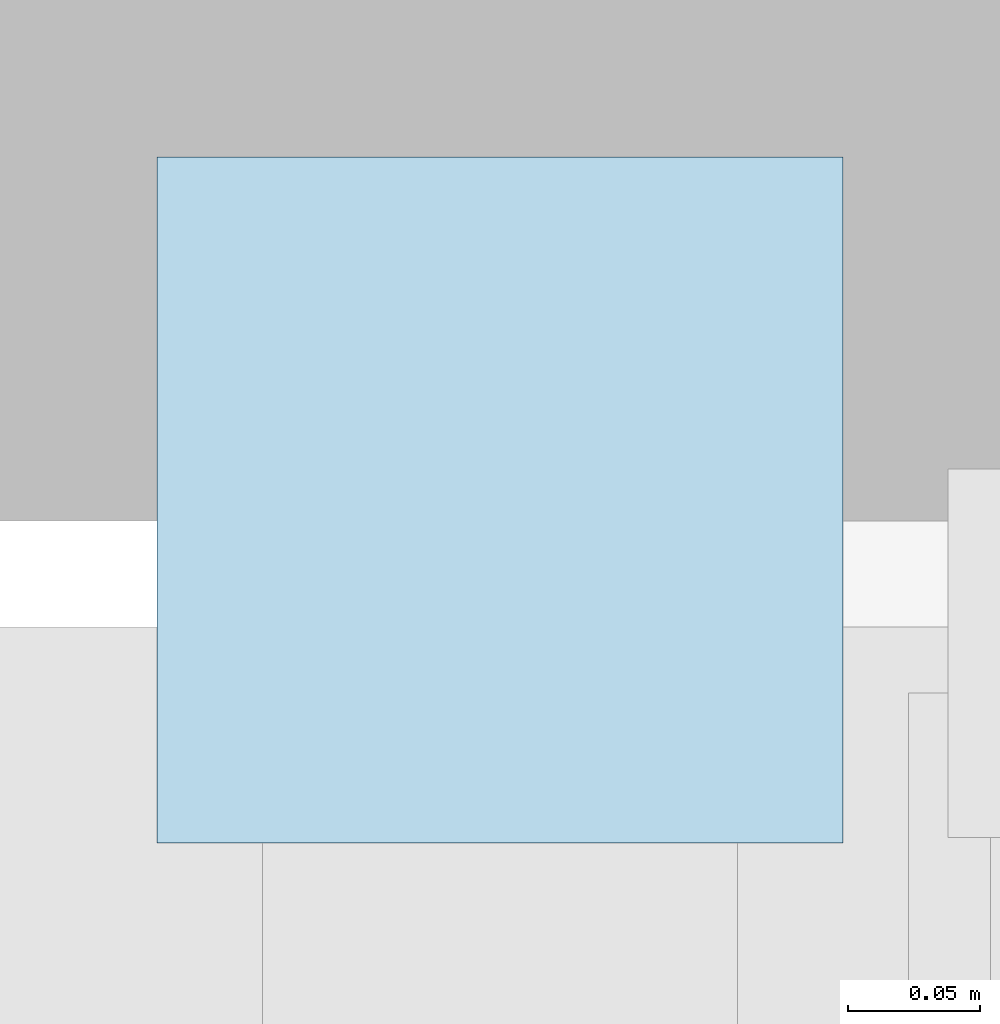
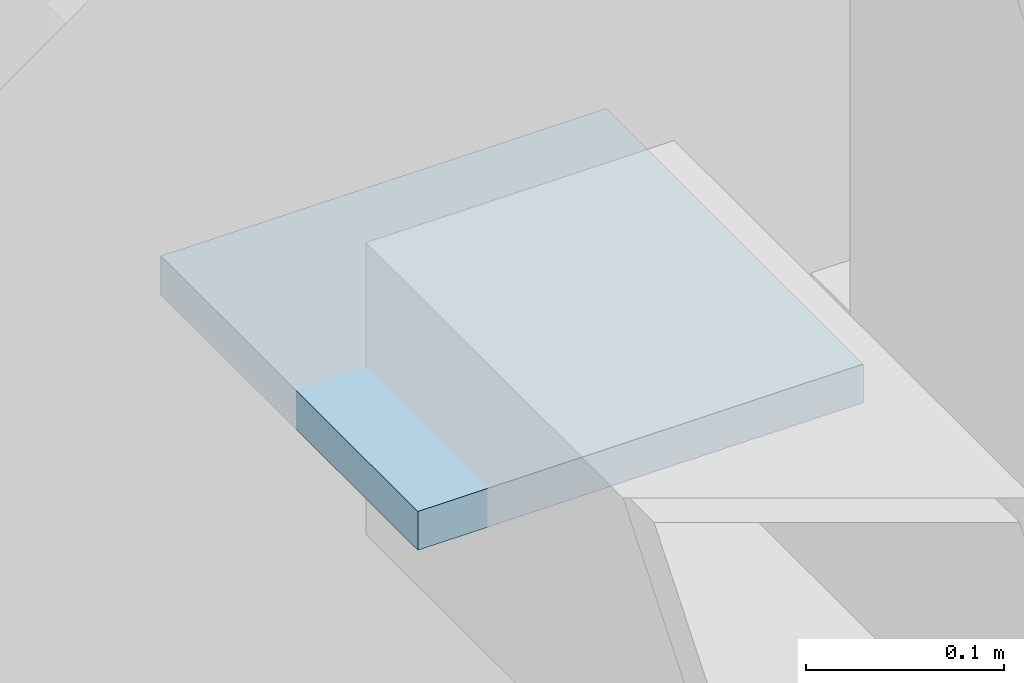
# One storey, part 64 of 111: 1 plate.
"""IFC4 building model written with IfcOpenShell, lengths in metres."""

from ifc_helpers import new_model, si_unit, direction, frame, origin, origin_2d, place, context, subcontext, project, spatial, rectangle, extrude, material, layer, layer_set, type_object, element, save


model = new_model("IFC4")

# Units and contexts
model_context = context("Model", 3, precision=1e-05, world=origin(), true_north=direction((0.0, 1.0)))
body_context = subcontext(model_context, "Body", "Model", "MODEL_VIEW")
ifc_project = project(units=[si_unit("LENGTHUNIT", "METRE"), si_unit("AREAUNIT", "SQUARE_METRE"), si_unit("VOLUMEUNIT", "CUBIC_METRE"), si_unit("PLANEANGLEUNIT", "RADIAN"), si_unit("MASSUNIT", "GRAM", prefix="KILO"), si_unit("THERMODYNAMICTEMPERATUREUNIT", "KELVIN"), si_unit("POWERUNIT", "WATT")], contexts=[model_context])

# Site, building, storey
site_placement = place(None, origin())
site = spatial("IfcSite", under=ifc_project, at=site_placement, CompositionType="ELEMENT")
building_placement = place(site_placement, origin())
building = spatial("IfcBuilding", under=site, at=building_placement, Name="Sindhuravela Promenade Stadium", CompositionType="ELEMENT")
storey_placement = place(building_placement, frame((0.0, 0.0, 9.60009765625)))
storey = spatial("IfcBuildingStorey", under=building, at=storey_placement, Name="L02", CompositionType="ELEMENT", Elevation=9.60009765625)

# Plate
ifc_material = material(Name="Steel E350 (IS 2062 E350BR)", Category="steel")
ifc_layer = layer(ifc_material, 0.02392578125)
ifc_layer_set = layer_set([ifc_layer], Name="Steel E350 (IS 2062 E350BR)")
plate_type = type_object("IfcPlateType", Name="ST-PL-CAP24", PredefinedType="USERDEFINED", material=ifc_layer_set)
plate_placement = place(storey_placement, frame((0.0, 116.508056640625, 3.587890625), z_axis=(0.0, 0.0, 1.0), x_axis=(1.0, 0.0, 0.0)))
element("IfcPlate", 1, at=plate_placement, inside=storey, type_object=plate_type, Name="Brace end gusset plate CP01 BR-0010B", ObjectType="GUSSET PLATE", PredefinedType="USERDEFINED", context=body_context, shape_type="SweptSolid", body=[
    extrude(rectangle(XDim=0.260009765625, YDim=0.260009765625, at=origin_2d()), origin(), (0.0, 0.0, 1.0), 0.02392578125),
])

save(model, "model.ifc")
